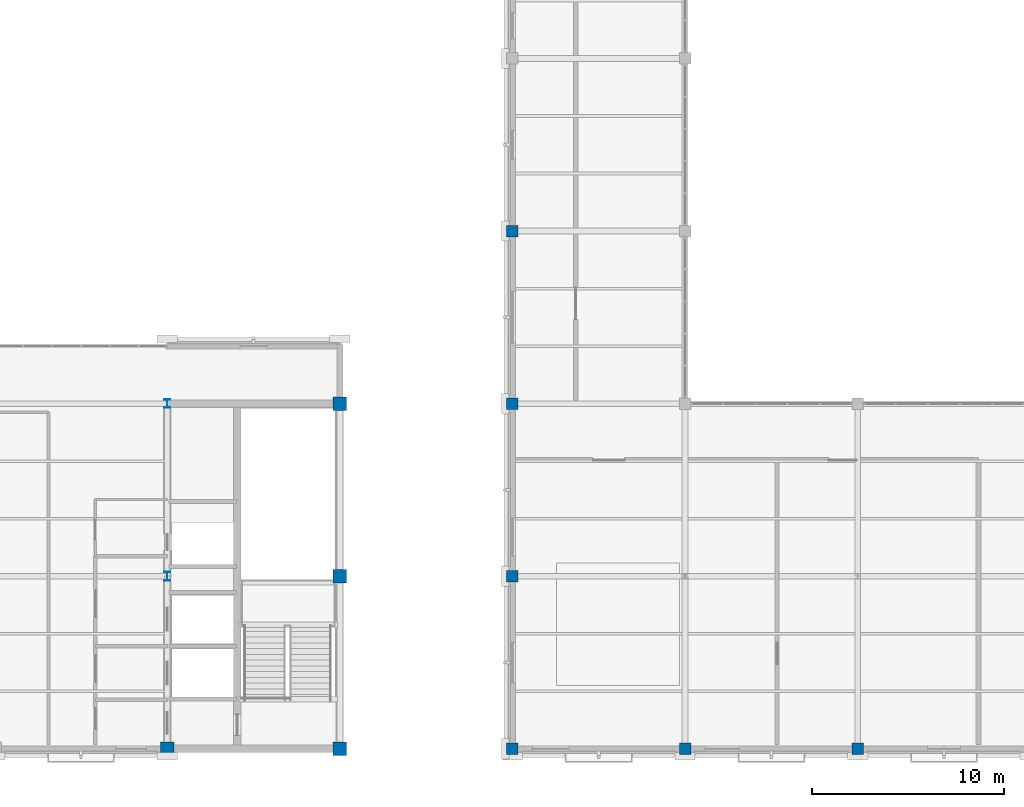
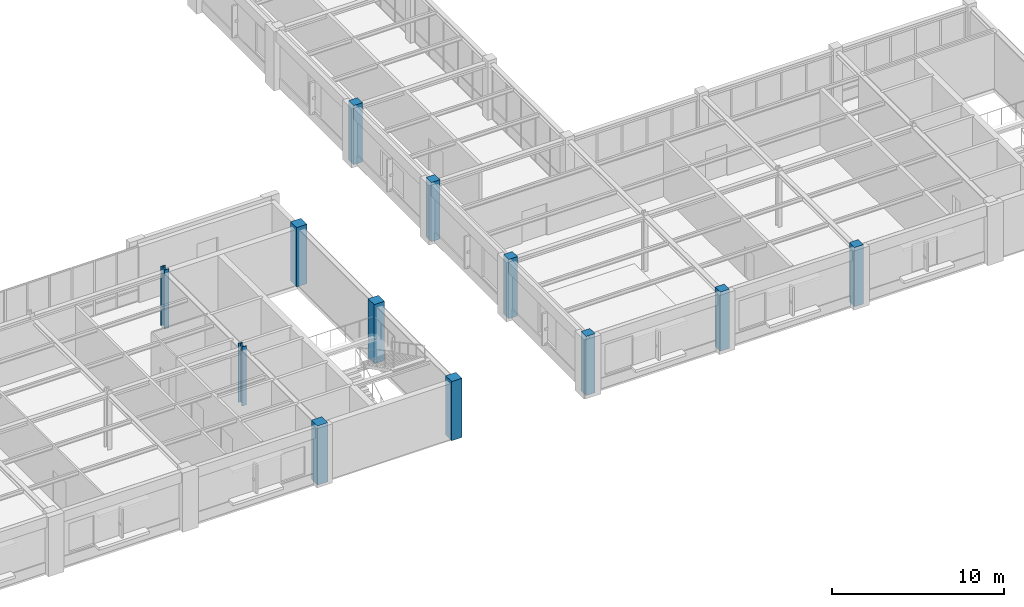
# One storey, part 5 of 130: 12 columns.
"""IFC4 building model written with IfcOpenShell, lengths in metres."""

from ifc_helpers import new_model, si_unit, direction, frame, origin, origin_2d, place, context, subcontext, project, spatial, rectangle, i_section, extrude, material, material_profile, profile_set, type_object, element, save


model = new_model("IFC4")

# Units and contexts
model_context = context("Model", 3, precision=1e-05, world=origin(), true_north=direction((0.0, 1.0)))
body_context = subcontext(model_context, "Body", "Model", "MODEL_VIEW")
ifc_project = project(units=[si_unit("LENGTHUNIT", "METRE"), si_unit("AREAUNIT", "SQUARE_METRE"), si_unit("VOLUMEUNIT", "CUBIC_METRE"), si_unit("PLANEANGLEUNIT", "RADIAN"), si_unit("MASSUNIT", "GRAM", prefix="KILO")], contexts=[model_context])

# Site, building, storey
site_placement = place(None, origin())
site = spatial("IfcSite", under=ifc_project, at=site_placement, CompositionType="ELEMENT")
building_placement = place(site_placement, origin())
building = spatial("IfcBuilding", under=site, at=building_placement, Name="Lykobir Media Centre", CompositionType="ELEMENT")
storey_placement = place(building_placement, frame((0.0, 0.0, 19.199951171875)))
storey = spatial("IfcBuildingStorey", under=building, at=storey_placement, Name="L04", CompositionType="ELEMENT", Elevation=19.199951171875)

# Columns
ifc_material_1 = material(Name="Concrete C40/50", Category="concrete")
ifc_material_profile_1 = material_profile(ifc_material_1, rectangle(XDim=0.60009765625, YDim=0.60009765625, at=origin_2d()), Name="RC 600x600")
ifc_profile_set_1 = profile_set([ifc_material_profile_1], Name="Concrete C40/50")
column_type_1 = type_object("IfcColumnType", Name="RC-C600-E", PredefinedType="COLUMN", material=ifc_profile_set_1)
for number, where, z_axis, x_axis, name in (
    (1, (90.0, 0.0, 0.0), (0.0, 0.0, 1.0), (1.0, 0.0, 0.0), "Column COL-L04-0900-0000"),
    (2, (90.0, 9.0, 0.0), (0.0, 0.0, 1.0), (1.0, 0.0, 0.0), "Column COL-L04-0900-0090"),
    (3, (90.0, 18.0, 0.0), (0.0, 0.0, 1.0), (1.0, 0.0, 0.0), "Column COL-L04-0900-0180"),
    (4, (90.0, 27.0, 0.0), (0.0, 0.0, 1.0), (1.0, 0.0, 0.0), "Column COL-L04-0900-0270"),
    (5, (99.0, 0.0, 0.0), (0.0, 0.0, 1.0), (1.0, 0.0, 0.0), "Column COL-L04-0990-0000"),
    (6, (108.0, 0.0, 0.0), (0.0, 0.0, 1.0), (1.0, 0.0, 0.0), "Column COL-L04-1080-0000"),
):
    element("IfcColumn", number, at=place(storey_placement, frame(where, z_axis=z_axis, x_axis=x_axis)), inside=storey, type_object=column_type_1, Name=name, PredefinedType="COLUMN", context=body_context, shape_type="SweptSolid", body=[
        extrude(rectangle(XDim=0.60009765625, YDim=0.60009765625, at=origin_2d()), origin(), (0.0, 0.0, 1.0), 4.199951171875),
    ])
ifc_material_profile_2 = material_profile(ifc_material_1, rectangle(XDim=0.699951171875, YDim=0.699951171875, at=origin_2d()), Name="RC 700x700")
ifc_profile_set_2 = profile_set([ifc_material_profile_2], Name="Concrete C40/50")
column_type_2 = type_object("IfcColumnType", Name="RC-C700-E", PredefinedType="COLUMN", material=ifc_profile_set_2)
for number, where, z_axis, x_axis, name in (
    (7, (72.0, 0.0, 0.0), (0.0, 0.0, 1.0), (1.0, 0.0, 0.0), "Column COL-L04-0720-0000"),
    (8, (81.0, 0.0, 0.0), (0.0, 0.0, 1.0), (1.0, 0.0, 0.0), "Column COL-L04-0810-0000"),
    (9, (81.0, 9.0, 0.0), (0.0, 0.0, 1.0), (1.0, 0.0, 0.0), "Column COL-L04-0810-0090"),
    (10, (81.0, 18.0, 0.0), (0.0, 0.0, 1.0), (1.0, 0.0, 0.0), "Column COL-L04-0810-0180"),
):
    element("IfcColumn", number, at=place(storey_placement, frame(where, z_axis=z_axis, x_axis=x_axis)), inside=storey, type_object=column_type_2, Name=name, PredefinedType="COLUMN", context=body_context, shape_type="SweptSolid", body=[
        extrude(rectangle(XDim=0.699951171875, YDim=0.699951171875, at=origin_2d()), origin(), (0.0, 0.0, 1.0), 4.199951171875),
    ])
ifc_material_2 = material(Name="Steel S355", Category="steel")
ifc_material_profile_3 = material_profile(ifc_material_2, i_section(OverallWidth=0.300048828125, OverallDepth=0.449951171875, WebThickness=0.013916015625, FlangeThickness=0.02587890625, at=origin_2d()), Name="HEB 450")
ifc_profile_set_3 = profile_set([ifc_material_profile_3], Name="Steel S355")
column_type_3 = type_object("IfcColumnType", Name="SC-HEB450", PredefinedType="COLUMN", material=ifc_profile_set_3)
for number, where, z_axis, x_axis, name in (
    (11, (72.0, 9.0, 0.0), (0.0, 0.0, 1.0), (1.0, 0.0, 0.0), "Column COL-L04-0720-0090"),
    (12, (72.0, 18.0, 0.0), (0.0, 0.0, 1.0), (1.0, 0.0, 0.0), "Column COL-L04-0720-0180"),
):
    element("IfcColumn", number, at=place(storey_placement, frame(where, z_axis=z_axis, x_axis=x_axis)), inside=storey, type_object=column_type_3, Name=name, PredefinedType="COLUMN", context=body_context, shape_type="SweptSolid", body=[
        extrude(i_section(OverallWidth=0.300048828125, OverallDepth=0.449951171875, WebThickness=0.013916015625, FlangeThickness=0.02587890625, at=origin_2d()), origin(), (0.0, 0.0, 1.0), 4.199951171875),
    ])

save(model, "model.ifc")
